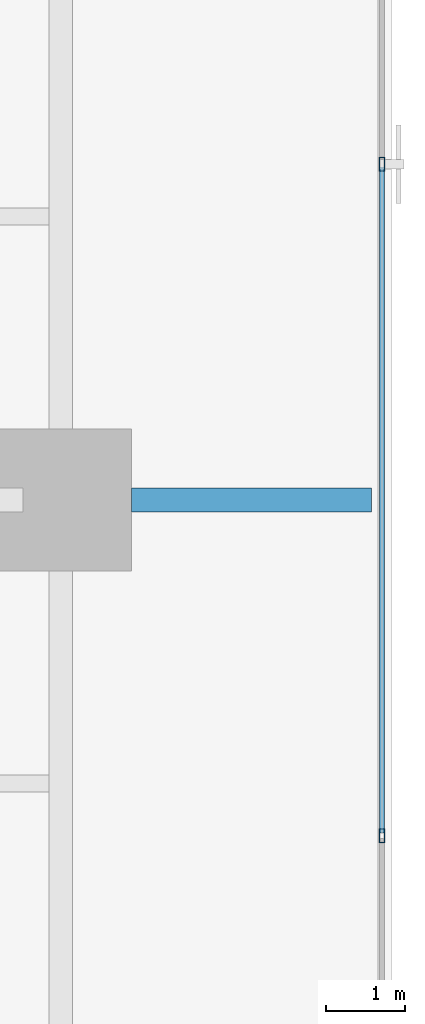
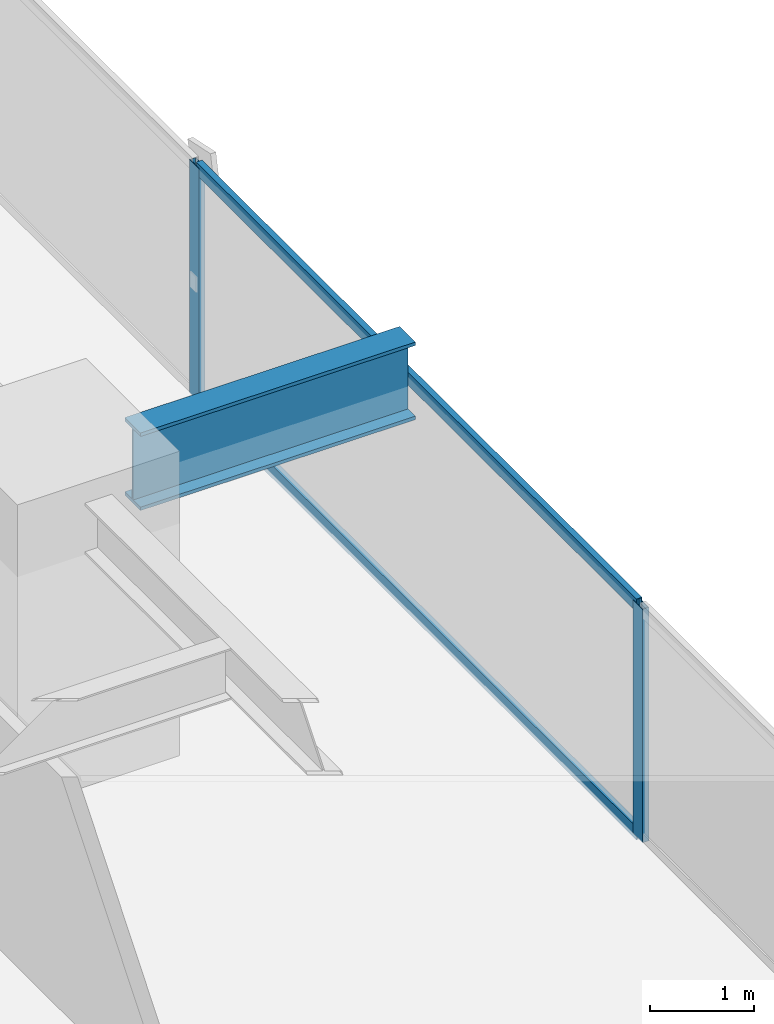
# One storey, part 15 of 33: 4 members, 1 beam, 1 element without a shape of its own.
"""IFC4 building model written with IfcOpenShell, lengths in metres."""

from ifc_helpers import new_model, si_unit, direction, frame, origin, origin_2d, place, context, subcontext, project, spatial, hollow_rectangle, i_section, extrude, source, transform, mapped, material, layer, layer_set, material_profile, profile_set, type_object, element, aggregate, save


model = new_model("IFC4")

# Units and contexts
model_context = context("Model", 3, precision=1e-05, world=origin(), true_north=direction((0.0, 1.0)))
body_context = subcontext(model_context, "Body", "Model", "MODEL_VIEW")
ifc_project = project(units=[si_unit("LENGTHUNIT", "METRE"), si_unit("AREAUNIT", "SQUARE_METRE"), si_unit("VOLUMEUNIT", "CUBIC_METRE"), si_unit("PLANEANGLEUNIT", "RADIAN"), si_unit("MASSUNIT", "GRAM", prefix="KILO")], contexts=[model_context])

# Site, building, storey
site_placement = place(None, origin())
site = spatial("IfcSite", under=ifc_project, at=site_placement, CompositionType="ELEMENT")
building_placement = place(site_placement, origin())
building = spatial("IfcBuilding", under=site, at=building_placement, Name="Sumidabori Civic Tower", CompositionType="ELEMENT")
storey_placement = place(building_placement, frame((0.0, 0.0, 38.0)))
storey = spatial("IfcBuildingStorey", under=building, at=storey_placement, Name="L09", CompositionType="ELEMENT", Elevation=38.0)

# Beam
ifc_material_1 = material(Name="Steel SN490", Category="steel")
ifc_material_profile_1 = material_profile(ifc_material_1, i_section(OverallWidth=0.302001953125, OverallDepth=0.909912109375, WebThickness=0.02099609375, FlangeThickness=0.0400390625, at=origin_2d()), Name="HE 900 M")
ifc_profile_set_1 = profile_set([ifc_material_profile_1], Name="Steel SN490")
beam_type = type_object("IfcBeamType", Name="BM-Z1-EDGE", PredefinedType="SPANDREL", material=ifc_profile_set_1)
shared_shape_1 = source(origin(), body_context, "Body", "SweptSolid", [
    extrude(i_section(OverallWidth=0.302001953125, OverallDepth=0.909912109375, WebThickness=0.02099609375, FlangeThickness=0.0400390625, at=origin_2d()), origin(), (0.0, 0.0, 1.0), 3.050048828125),
])
beam_placement = place(storey_placement, frame((23.699951171875, 0.0, 2.905029296875), z_axis=(1.0, 0.0, 0.0), x_axis=(0.0, 1.0, 0.0)))
element("IfcBeam", 1, at=beam_placement, inside=storey, type_object=beam_type, Name="Perimeter Overhang Beam L09 E-45", PredefinedType="SPANDREL", context=body_context, shape_type="MappedRepresentation", body=[
    mapped(shared_shape_1, transform((0.0, 0.0, 0.0), x_axis=(1.0, 0.0, 0.0), y_axis=(0.0, 1.0, 0.0), z_axis=(0.0, 0.0, 1.0), scale=1.0)),
])

# Curtain wall, members
ifc_material_2 = material(Name="Anodised Bronze Aluminium AW-6063-T6", Category="aluminium")
ifc_layer = layer(ifc_material_2, 0.179931640625, Name="Anodised Bronze Aluminium AW-6063-T6")
ifc_layer_set = layer_set([ifc_layer], Name="Anodised Bronze Aluminium AW-6063-T6")
curtain_wall_type = type_object("IfcCurtainWallType", Name="CW-SYS-2", PredefinedType="NOTDEFINED", material=ifc_layer_set)
curtain_wall_placement = place(storey_placement, origin())
curtain_wall = element("IfcCurtainWall", 2, at=curtain_wall_placement, inside=storey, type_object=curtain_wall_type, Name="Curtain Wall CW:L09:R04", PredefinedType="NOTDEFINED")
ifc_material_profile_2 = material_profile(ifc_material_2, hollow_rectangle(XDim=0.070068359375, YDim=0.179931640625, WallThickness=0.006103515625, at=origin_2d()), Name="ALU MULLION 180x70")
ifc_profile_set_2 = profile_set([ifc_material_profile_2], Name="Anodised Bronze Aluminium AW-6063-T6")
member_type_1 = type_object("IfcMemberType", Name="CW-MUL-180", PredefinedType="MULLION", material=ifc_profile_set_2)
shared_shape_2 = source(origin(), body_context, "Body", "SweptSolid", [
    extrude(hollow_rectangle(XDim=0.070068359375, YDim=0.179931640625, WallThickness=0.006103515625, at=origin_2d()), origin(), (0.0, 0.0, 1.0), 2.739990234375),
])
member_1_placement = place(storey_placement, frame((26.8798828125, -4.263916015625, 0.0), z_axis=(0.0, 0.0, 1.0), x_axis=(-1.0, 0.0, 0.0)))
member_1 = element("IfcMember", 3, at=member_1_placement, type_object=member_type_1, Name="CW-2 mullion 3", PredefinedType="MULLION", context=body_context, shape_type="MappedRepresentation", body=[
    mapped(shared_shape_2, transform((0.0, 0.0, 0.0), x_axis=(1.0, 0.0, 0.0), y_axis=(0.0, 1.0, 0.0), z_axis=(0.0, 0.0, 1.0), scale=1.0)),
])
member_2_placement = place(storey_placement, frame((26.8798828125, 4.263916015625, 0.0), z_axis=(0.0, 0.0, 1.0), x_axis=(-1.0, 0.0, 0.0)))
member_2 = element("IfcMember", 4, at=member_2_placement, type_object=member_type_1, Name="CW-2 mullion 4", PredefinedType="MULLION", context=body_context, shape_type="MappedRepresentation", body=[
    mapped(shared_shape_2, transform((0.0, 0.0, 0.0), x_axis=(1.0, 0.0, 0.0), y_axis=(0.0, 1.0, 0.0), z_axis=(0.0, 0.0, 1.0), scale=1.0)),
])
ifc_material_profile_3 = material_profile(ifc_material_2, hollow_rectangle(XDim=0.06494140625, YDim=0.14990234375, WallThickness=0.0048828125, at=origin_2d()), Name="ALU TRANSOM 150x65")
ifc_profile_set_3 = profile_set([ifc_material_profile_3], Name="Anodised Bronze Aluminium AW-6063-T6")
member_type_2 = type_object("IfcMemberType", Name="CW-TRN-150", PredefinedType="USERDEFINED", material=ifc_profile_set_3)
shared_shape_3 = source(origin(), body_context, "Body", "SweptSolid", [
    extrude(hollow_rectangle(XDim=0.06494140625, YDim=0.14990234375, WallThickness=0.0048828125, at=origin_2d()), origin(), (0.0, 0.0, 1.0), 8.4580078125),
])
member_3_placement = place(storey_placement, frame((26.8798828125, -4.22900390625, 0.032470703125), z_axis=(0.0, 1.0, 0.0), x_axis=(-1.0, 0.0, 0.0)))
member_3 = element("IfcMember", 5, at=member_3_placement, type_object=member_type_2, Name="CW-2 transom 3.1", ObjectType="TRANSOM", PredefinedType="USERDEFINED", context=body_context, shape_type="MappedRepresentation", body=[
    mapped(shared_shape_3, transform((0.0, 0.0, 0.0), x_axis=(1.0, 0.0, 0.0), y_axis=(0.0, 1.0, 0.0), z_axis=(0.0, 0.0, 1.0), scale=1.0)),
])
member_4_placement = place(storey_placement, frame((26.8798828125, -4.22900390625, 2.70751953125), z_axis=(0.0, 1.0, 0.0), x_axis=(-1.0, 0.0, 0.0)))
member_4 = element("IfcMember", 6, at=member_4_placement, type_object=member_type_2, Name="CW-2 transom 3.2", ObjectType="TRANSOM", PredefinedType="USERDEFINED", context=body_context, shape_type="MappedRepresentation", body=[
    mapped(shared_shape_3, transform((0.0, 0.0, 0.0), x_axis=(1.0, 0.0, 0.0), y_axis=(0.0, 1.0, 0.0), z_axis=(0.0, 0.0, 1.0), scale=1.0)),
])
aggregate(curtain_wall, [member_1, member_2, member_3, member_4])

save(model, "model.ifc")
